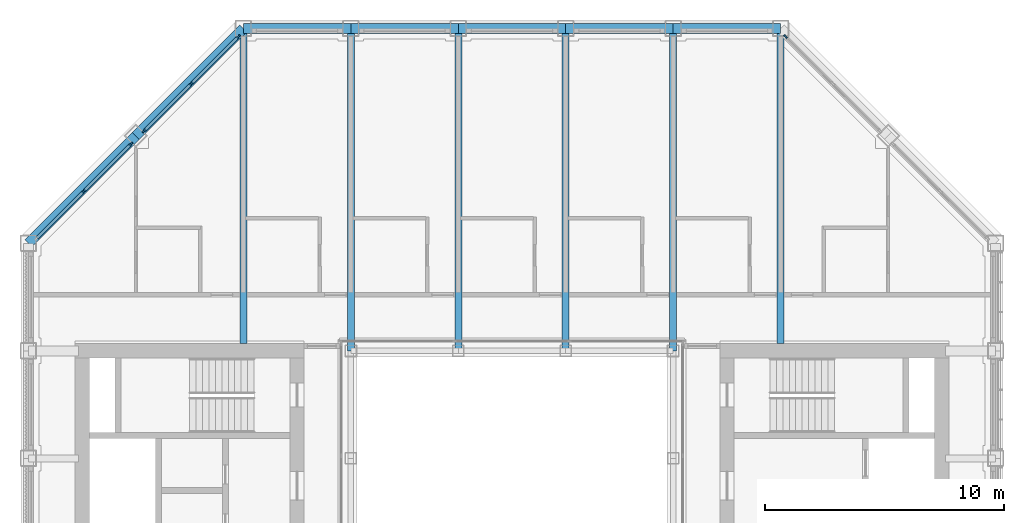
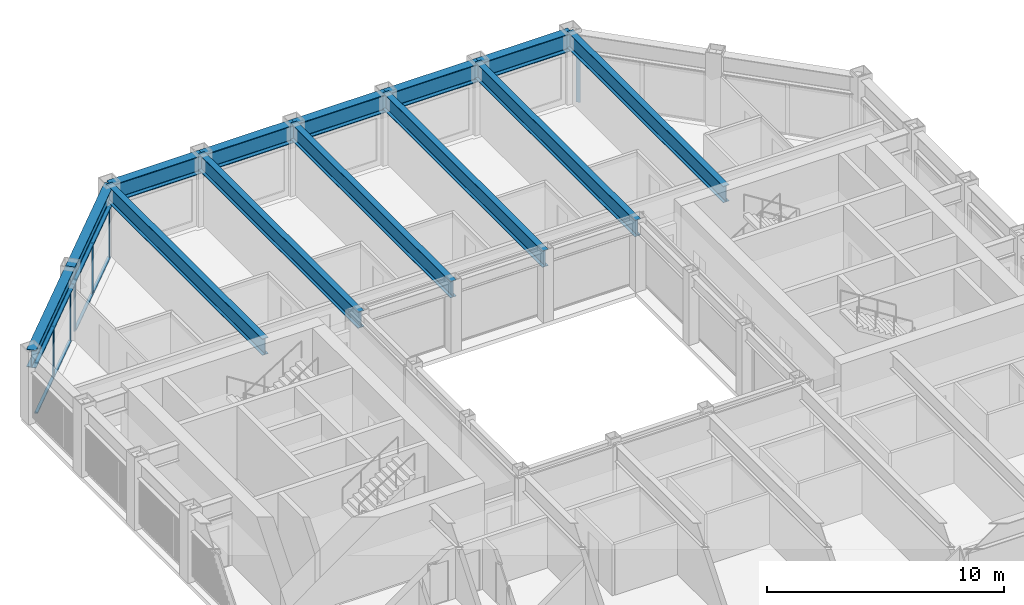
# One storey, part 6 of 18: 14 members, 13 beams, 3 elements without a shape of their own.
"""IFC4 building model written with IfcOpenShell, lengths in metres."""

from ifc_helpers import new_model, si_unit, direction, frame, origin, origin_2d, place, context, subcontext, project, spatial, rectangle, i_section, extrude, material, material_profile, profile_set, type_object, element, aggregate, save


model = new_model("IFC4")

# Units and contexts
model_context = context("Model", 3, precision=1e-05, world=origin(), true_north=direction((0.0, 1.0)))
body_context = subcontext(model_context, "Body", "Model", "MODEL_VIEW")
ifc_project = project(units=[si_unit("LENGTHUNIT", "METRE"), si_unit("AREAUNIT", "SQUARE_METRE"), si_unit("VOLUMEUNIT", "CUBIC_METRE"), si_unit("PLANEANGLEUNIT", "RADIAN"), si_unit("MASSUNIT", "GRAM", prefix="KILO")], contexts=[model_context])

# Site, building, storey
site_placement = place(None, origin())
site = spatial("IfcSite", under=ifc_project, at=site_placement, CompositionType="ELEMENT")
building_placement = place(site_placement, origin())
building = spatial("IfcBuilding", under=site, at=building_placement, Name="Msasa Ring Tower", CompositionType="ELEMENT")
storey_placement = place(building_placement, frame((0.0, 0.0, 208.300048828125)))
storey = spatial("IfcBuildingStorey", under=building, at=storey_placement, Name="L54", CompositionType="ELEMENT", Elevation=208.300048828125)

# Curtain wall, member
ifc_material_1 = material(Name="Aluminium curtain wall with clear glass", Category="aluminium")
curtain_wall_type = type_object("IfcCurtainWallType", Name="CW-C CHAMFER CORNER CURTAIN WALL", PredefinedType="NOTDEFINED", material=ifc_material_1)
curtain_wall_1_placement = place(storey_placement, origin())
curtain_wall_1 = element("IfcCurtainWall", 1, at=curtain_wall_1_placement, inside=storey, type_object=curtain_wall_type, Name="Chamfer corner curtain wall NE L54", PredefinedType="NOTDEFINED")
ifc_material_2 = material(Name="Aluminium mullion", Category="aluminium")
ifc_material_profile_1 = material_profile(ifc_material_2, rectangle(XDim=0.06494140625, YDim=0.179931640625, at=origin_2d()), Name="AL 65x180")
ifc_profile_set_1 = profile_set([ifc_material_profile_1], Name="Aluminium mullion")
member_type_1 = type_object("IfcMemberType", Name="CW-C MULLION 65x180", PredefinedType="MULLION", material=ifc_profile_set_1)
member_1_placement = place(storey_placement, frame((11.453369140625, 19.9052734375, 0.0), z_axis=(0.0, 0.0, 1.0), x_axis=(-0.707106781187, -0.707106781187, 0.0)))
member_1 = element("IfcMember", 2, at=member_1_placement, type_object=member_type_1, Name="CW-C mullion 3", PredefinedType="MULLION", context=body_context, shape_type="SweptSolid", body=[
    extrude(rectangle(XDim=0.06494140625, YDim=0.179931640625, at=origin_2d()), origin(), (0.0, 0.0, 1.0), 2.62890625),
])
aggregate(curtain_wall_1, [member_1])

# Curtain wall, members
curtain_wall_2_placement = place(storey_placement, origin())
curtain_wall_2 = element("IfcCurtainWall", 3, at=curtain_wall_2_placement, inside=storey, type_object=curtain_wall_type, Name="Chamfer corner curtain wall NW L54", PredefinedType="NOTDEFINED")
member_2_placement = place(storey_placement, frame((-15.953369140625, 15.4052734375, 0.0), z_axis=(0.0, 0.0, 1.0), x_axis=(0.707106781187, -0.707106781187, 0.0)))
member_2 = element("IfcMember", 4, at=member_2_placement, type_object=member_type_1, Name="CW-C mullion 1", PredefinedType="MULLION", context=body_context, shape_type="SweptSolid", body=[
    extrude(rectangle(XDim=0.06494140625, YDim=0.179931640625, at=origin_2d()), origin(), (0.0, 0.0, 1.0), 2.62890625),
])
member_3_placement = place(storey_placement, frame((-17.92919921875, 13.42919921875, 0.0), z_axis=(0.0, 0.0, 1.0), x_axis=(0.707106781187, -0.707106781187, 0.0)))
member_3 = element("IfcMember", 5, at=member_3_placement, type_object=member_type_1, Name="CW-C mullion 2", PredefinedType="MULLION", context=body_context, shape_type="SweptSolid", body=[
    extrude(rectangle(XDim=0.06494140625, YDim=0.179931640625, at=origin_2d()), origin(), (0.0, 0.0, 1.0), 2.62890625),
])

curtain_wall_3_placement = place(storey_placement, origin())
curtain_wall_3 = element("IfcCurtainWall", 6, at=curtain_wall_3_placement, inside=storey, type_object=curtain_wall_type, Name="Chamfer corner curtain wall NW L54", PredefinedType="NOTDEFINED")
member_4_placement = place(storey_placement, frame((-11.453369140625, 19.9052734375, 0.0), z_axis=(0.0, 0.0, 1.0), x_axis=(0.707106781187, -0.707106781187, 0.0)))
member_4 = element("IfcMember", 7, at=member_4_placement, type_object=member_type_1, Name="CW-C mullion 1", PredefinedType="MULLION", context=body_context, shape_type="SweptSolid", body=[
    extrude(rectangle(XDim=0.06494140625, YDim=0.179931640625, at=origin_2d()), origin(), (0.0, 0.0, 1.0), 2.62890625),
])
member_5_placement = place(storey_placement, frame((-13.42919921875, 17.92919921875, 0.0), z_axis=(0.0, 0.0, 1.0), x_axis=(0.707106781187, -0.707106781187, 0.0)))
member_5 = element("IfcMember", 8, at=member_5_placement, type_object=member_type_1, Name="CW-C mullion 2", PredefinedType="MULLION", context=body_context, shape_type="SweptSolid", body=[
    extrude(rectangle(XDim=0.06494140625, YDim=0.179931640625, at=origin_2d()), origin(), (0.0, 0.0, 1.0), 2.62890625),
])
member_6_placement = place(storey_placement, frame((-15.4052734375, 15.953369140625, 0.0), z_axis=(0.0, 0.0, 1.0), x_axis=(0.707106781187, -0.707106781187, 0.0)))
member_6 = element("IfcMember", 9, at=member_6_placement, type_object=member_type_1, Name="CW-C mullion 3", PredefinedType="MULLION", context=body_context, shape_type="SweptSolid", body=[
    extrude(rectangle(XDim=0.06494140625, YDim=0.179931640625, at=origin_2d()), origin(), (0.0, 0.0, 1.0), 2.62890625),
])

# Member
ifc_material_3 = material(Name="Aluminium transom", Category="aluminium")
ifc_material_profile_2 = material_profile(ifc_material_3, rectangle(XDim=0.139892578125, YDim=0.06494140625, at=origin_2d()), Name="AL 65x140")
ifc_profile_set_2 = profile_set([ifc_material_profile_2], Name="Aluminium transom")
member_type_2 = type_object("IfcMemberType", Name="CW-C TRANSOM 65x140", PredefinedType="USERDEFINED", material=ifc_profile_set_2)
member_7_placement = place(storey_placement, frame((-15.976318359375, 15.38232421875, 0.032470703125), z_axis=(-0.707106781187, -0.707106781187, 0.0), x_axis=(0.707106781187, -0.707106781187, 0.0)))
member_7 = element("IfcMember", 10, at=member_7_placement, type_object=member_type_2, Name="CW-C transom 1.1", ObjectType="TRANSOM", PredefinedType="USERDEFINED", context=body_context, shape_type="SweptSolid", body=[
    extrude(rectangle(XDim=0.139892578125, YDim=0.06494140625, at=origin_2d()), origin(), (0.0, 0.0, 1.0), 2.729248046875),
])

member_8_placement = place(storey_placement, frame((-15.976318359375, 15.38232421875, 2.596435546875), z_axis=(-0.707106781187, -0.707106781187, 0.0), x_axis=(0.707106781187, -0.707106781187, 0.0)))
member_8 = element("IfcMember", 11, at=member_8_placement, type_object=member_type_2, Name="CW-C transom 1.2", ObjectType="TRANSOM", PredefinedType="USERDEFINED", context=body_context, shape_type="SweptSolid", body=[
    extrude(rectangle(XDim=0.139892578125, YDim=0.06494140625, at=origin_2d()), origin(), (0.0, 0.0, 1.0), 2.729248046875),
])

member_9_placement = place(storey_placement, frame((-17.952392578125, 13.40625, 0.032470703125), z_axis=(-0.707106781187, -0.707106781187, 0.0), x_axis=(0.707106781187, -0.707106781187, 0.0)))
member_9 = element("IfcMember", 12, at=member_9_placement, type_object=member_type_2, Name="CW-C transom 2.1", ObjectType="TRANSOM", PredefinedType="USERDEFINED", context=body_context, shape_type="SweptSolid", body=[
    extrude(rectangle(XDim=0.139892578125, YDim=0.06494140625, at=origin_2d()), origin(), (0.0, 0.0, 1.0), 2.729248046875),
])

member_10_placement = place(storey_placement, frame((-17.952392578125, 13.40625, 2.596435546875), z_axis=(-0.707106781187, -0.707106781187, 0.0), x_axis=(0.707106781187, -0.707106781187, 0.0)))
member_10 = element("IfcMember", 13, at=member_10_placement, type_object=member_type_2, Name="CW-C transom 2.2", ObjectType="TRANSOM", PredefinedType="USERDEFINED", context=body_context, shape_type="SweptSolid", body=[
    extrude(rectangle(XDim=0.139892578125, YDim=0.06494140625, at=origin_2d()), origin(), (0.0, 0.0, 1.0), 2.729248046875),
])

aggregate(curtain_wall_2, [member_2, member_3, member_7, member_8, member_9, member_10])

member_11_placement = place(storey_placement, frame((-11.476318359375, 19.88232421875, 0.032470703125), z_axis=(-0.707106781187, -0.707106781187, 0.0), x_axis=(0.707106781187, -0.707106781187, 0.0)))
member_11 = element("IfcMember", 14, at=member_11_placement, type_object=member_type_2, Name="CW-C transom 1.1", ObjectType="TRANSOM", PredefinedType="USERDEFINED", context=body_context, shape_type="SweptSolid", body=[
    extrude(rectangle(XDim=0.139892578125, YDim=0.06494140625, at=origin_2d()), origin(), (0.0, 0.0, 1.0), 2.729248046875),
])

member_12_placement = place(storey_placement, frame((-11.476318359375, 19.88232421875, 2.596435546875), z_axis=(-0.707106781187, -0.707106781187, 0.0), x_axis=(0.707106781187, -0.707106781187, 0.0)))
member_12 = element("IfcMember", 15, at=member_12_placement, type_object=member_type_2, Name="CW-C transom 1.2", ObjectType="TRANSOM", PredefinedType="USERDEFINED", context=body_context, shape_type="SweptSolid", body=[
    extrude(rectangle(XDim=0.139892578125, YDim=0.06494140625, at=origin_2d()), origin(), (0.0, 0.0, 1.0), 2.729248046875),
])

member_13_placement = place(storey_placement, frame((-13.452392578125, 17.90625, 0.032470703125), z_axis=(-0.707106781187, -0.707106781187, 0.0), x_axis=(0.707106781187, -0.707106781187, 0.0)))
member_13 = element("IfcMember", 16, at=member_13_placement, type_object=member_type_2, Name="CW-C transom 2.1", ObjectType="TRANSOM", PredefinedType="USERDEFINED", context=body_context, shape_type="SweptSolid", body=[
    extrude(rectangle(XDim=0.139892578125, YDim=0.06494140625, at=origin_2d()), origin(), (0.0, 0.0, 1.0), 2.729248046875),
])

member_14_placement = place(storey_placement, frame((-13.452392578125, 17.90625, 2.596435546875), z_axis=(-0.707106781187, -0.707106781187, 0.0), x_axis=(0.707106781187, -0.707106781187, 0.0)))
member_14 = element("IfcMember", 17, at=member_14_placement, type_object=member_type_2, Name="CW-C transom 2.2", ObjectType="TRANSOM", PredefinedType="USERDEFINED", context=body_context, shape_type="SweptSolid", body=[
    extrude(rectangle(XDim=0.139892578125, YDim=0.06494140625, at=origin_2d()), origin(), (0.0, 0.0, 1.0), 2.729248046875),
])

aggregate(curtain_wall_3, [member_4, member_5, member_6, member_11, member_12, member_13, member_14])

# Beams
ifc_material_4 = material(Name="Steel S355", Category="steel")
ifc_material_profile_3 = material_profile(ifc_material_4, i_section(OverallWidth=0.293701171875, OverallDepth=0.850830078125, WebThickness=0.01611328125, FlangeThickness=0.02685546875, FilletRadius=0.017822265625, at=origin_2d()), Name="UB 838x292x226")
ifc_profile_set_3 = profile_set([ifc_material_profile_3], Name="Steel S355")
beam_type_1 = type_object("IfcBeamType", Name="FB5 UB 838x292x226", PredefinedType="BEAM", material=ifc_profile_set_3)
beam_1_placement = place(storey_placement, frame((-11.25, 20.25, 3.12451171875), z_axis=(0.0, -1.0, 0.0), x_axis=(1.0, 0.0, 0.0)))
element("IfcBeam", 18, at=beam_1_placement, inside=storey, type_object=beam_type_1, Name="Floor beam N-11.25 under L55", PredefinedType="BEAM", context=body_context, shape_type="SweptSolid", body=[
    extrude(i_section(OverallWidth=0.293701171875, OverallDepth=0.850830078125, WebThickness=0.01611328125, FlangeThickness=0.02685546875, FilletRadius=0.017822265625, at=origin_2d()), origin(), (0.0, 0.0, 1.0), 13.199951171875),
])
for number, where, z_axis, x_axis, name in (
    (19, (-6.75, 20.25, 3.12451171875), (0.0, -1.0, 0.0), (1.0, 0.0, 0.0), "Floor beam N-6.75 under L55"),
    (20, (-2.25, 20.25, 3.12451171875), (0.0, -1.0, 0.0), (1.0, 0.0, 0.0), "Floor beam N-2.25 under L55"),
    (21, (2.25, 20.25, 3.12451171875), (0.0, -1.0, 0.0), (1.0, 0.0, 0.0), "Floor beam N+2.25 under L55"),
    (22, (6.75, 20.25, 3.12451171875), (0.0, -1.0, 0.0), (1.0, 0.0, 0.0), "Floor beam N+6.75 under L55"),
):
    element("IfcBeam", number, at=place(storey_placement, frame(where, z_axis=z_axis, x_axis=x_axis)), inside=storey, type_object=beam_type_1, Name=name, PredefinedType="BEAM", context=body_context, shape_type="SweptSolid", body=[
        extrude(i_section(OverallWidth=0.293701171875, OverallDepth=0.850830078125, WebThickness=0.01611328125, FlangeThickness=0.02685546875, FilletRadius=0.017822265625, at=origin_2d()), origin(), (0.0, 0.0, 1.0), 13.5),
    ])
beam_2_placement = place(storey_placement, frame((11.25, 20.25, 3.12451171875), z_axis=(0.0, -1.0, 0.0), x_axis=(1.0, 0.0, 0.0)))
element("IfcBeam", 23, at=beam_2_placement, inside=storey, type_object=beam_type_1, Name="Floor beam N+11.25 under L55", PredefinedType="BEAM", context=body_context, shape_type="SweptSolid", body=[
    extrude(i_section(OverallWidth=0.293701171875, OverallDepth=0.850830078125, WebThickness=0.01611328125, FlangeThickness=0.02685546875, FilletRadius=0.017822265625, at=origin_2d()), origin(), (0.0, 0.0, 1.0), 13.199951171875),
])
ifc_material_5 = material(Name="Steel S355", Category="steel")
ifc_material_profile_4 = material_profile(ifc_material_5, i_section(OverallWidth=0.42041015625, OverallDepth=0.9208984375, WebThickness=0.021484375, FlangeThickness=0.03662109375, FilletRadius=0.024169921875, at=origin_2d()), Name="UB 914x419x388")
ifc_profile_set_4 = profile_set([ifc_material_profile_4], Name="Steel S355")
beam_type_2 = type_object("IfcBeamType", Name="SB1 UB 914x419x388", PredefinedType="SPANDREL", material=ifc_profile_set_4)
for number, where, z_axis, x_axis, name in (
    (24, (11.25, 20.25, 3.08935546875), (-1.0, 0.0, 0.0), (0.0, -1.0, 0.0), "Spandrel N+11.25 to N+6.75 under L55"),
    (25, (6.75, 20.25, 3.08935546875), (-1.0, 0.0, 0.0), (0.0, -1.0, 0.0), "Spandrel N+6.75 to N+2.25 under L55"),
    (26, (2.25, 20.25, 3.08935546875), (-1.0, 0.0, 0.0), (0.0, -1.0, 0.0), "Spandrel N+2.25 to N-2.25 under L55"),
    (27, (-2.25, 20.25, 3.08935546875), (-1.0, 0.0, 0.0), (0.0, -1.0, 0.0), "Spandrel N-2.25 to N-6.75 under L55"),
    (28, (-6.75, 20.25, 3.08935546875), (-1.0, 0.0, 0.0), (0.0, -1.0, 0.0), "Spandrel N-6.75 to N-11.25 under L55"),
):
    element("IfcBeam", number, at=place(storey_placement, frame(where, z_axis=z_axis, x_axis=x_axis)), inside=storey, type_object=beam_type_2, Name=name, PredefinedType="SPANDREL", context=body_context, shape_type="SweptSolid", body=[
        extrude(i_section(OverallWidth=0.42041015625, OverallDepth=0.9208984375, WebThickness=0.021484375, FlangeThickness=0.03662109375, FilletRadius=0.024169921875, at=origin_2d()), origin(), (0.0, 0.0, 1.0), 4.5),
    ])
for number, where, z_axis, x_axis, name in (
    (29, (-11.25, 20.25, 3.08935546875), (-0.707106781187, -0.707106781187, 0.0), (0.707106781187, -0.707106781187, 0.0), "Spandrel N-11.25 to NW under L55"),
    (30, (-15.75, 15.75, 3.08935546875), (-0.707106781187, -0.707106781187, 0.0), (0.707106781187, -0.707106781187, 0.0), "Spandrel NW to W+11.25 under L55"),
):
    element("IfcBeam", number, at=place(storey_placement, frame(where, z_axis=z_axis, x_axis=x_axis)), inside=storey, type_object=beam_type_2, Name=name, PredefinedType="SPANDREL", context=body_context, shape_type="SweptSolid", body=[
        extrude(i_section(OverallWidth=0.42041015625, OverallDepth=0.9208984375, WebThickness=0.021484375, FlangeThickness=0.03662109375, FilletRadius=0.024169921875, at=origin_2d()), origin(), (0.0, 0.0, 1.0), 6.364013671875),
    ])

save(model, "model.ifc")
